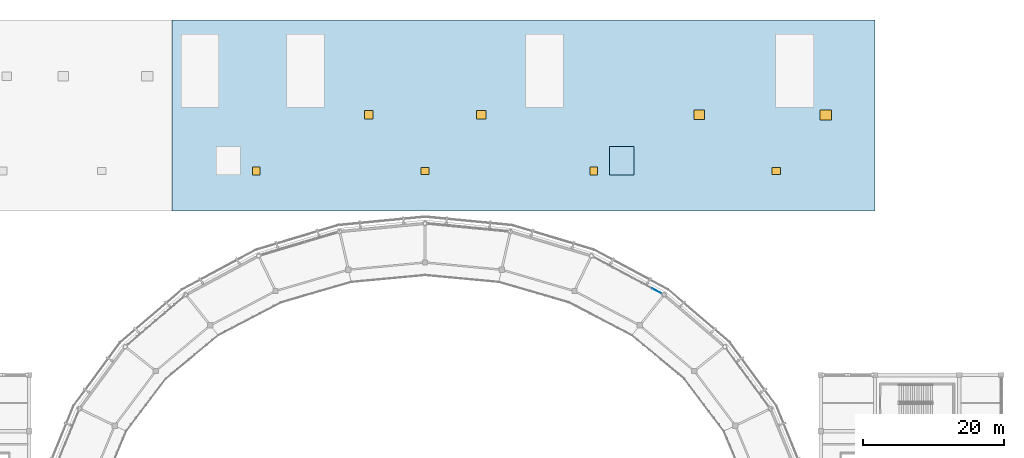
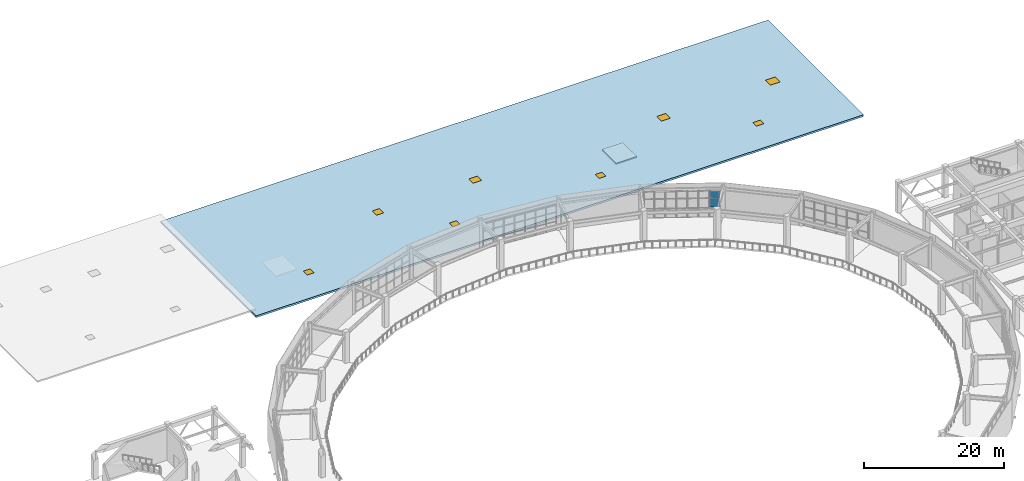
# One storey, part 46 of 70: 4 doors, 4 windows, 2 plates, 2 slabs, 8 openings, 1 element without a shape of its own.
"""IFC4 building model written with IfcOpenShell, lengths in metres."""

from ifc_helpers import new_model, si_unit, direction, frame, origin, origin_2d, place, context, subcontext, project, spatial, polyline, rectangle, outline, extrude, material, layer, layer_set, type_object, element, fill, aggregate, save


model = new_model("IFC4")

# Units and contexts
model_context = context("Model", 3, precision=1e-05, world=origin(), true_north=direction((0.0, 1.0)))
body_context = subcontext(model_context, "Body", "Model", "MODEL_VIEW")
ifc_project = project(units=[si_unit("LENGTHUNIT", "METRE"), si_unit("AREAUNIT", "SQUARE_METRE"), si_unit("VOLUMEUNIT", "CUBIC_METRE"), si_unit("PLANEANGLEUNIT", "RADIAN"), si_unit("MASSUNIT", "GRAM", prefix="KILO")], contexts=[model_context])

# Site, building, storey
site_placement = place(None, origin())
site = spatial("IfcSite", under=ifc_project, at=site_placement, CompositionType="ELEMENT")
building_placement = place(site_placement, origin())
building = spatial("IfcBuilding", under=site, at=building_placement, Name="Cuetzalor Civic Arena", CompositionType="ELEMENT")
storey_placement = place(building_placement, frame((0.0, 0.0, 21.0)))
storey = spatial("IfcBuildingStorey", under=building, at=storey_placement, Name="L04", CompositionType="ELEMENT", Elevation=21.0)

# Curtain wall, plates
ifc_material_1 = material(Name="Anodised dark bronze aluminium and low-E solar glass", Category="aluminium")
curtain_wall_type = type_object("IfcCurtainWallType", Name="UnitisedCW_10950x4650", PredefinedType="USERDEFINED", material=ifc_material_1)
curtain_wall_placement = place(storey_placement, origin())
curtain_wall = element("IfcCurtainWall", 1, at=curtain_wall_placement, inside=storey, type_object=curtain_wall_type, Name="Drum Triangle Foyer Curtain Wall L04-058", ObjectType="UNITISED CURTAIN WALL", PredefinedType="USERDEFINED")
ifc_material_2 = material(Name="Acoustic laminated solar control glass", Category="glass")
ifc_layer_1 = layer(ifc_material_2, 0.0439453125)
ifc_layer_set_1 = layer_set([ifc_layer_1], Name="Acoustic laminated solar control glass")
plate_type = type_object("IfcPlateType", Name="AcousticTripleGlazedPanel_44", PredefinedType="CURTAIN_PANEL", material=ifc_layer_set_1)
plate_1_placement = place(storey_placement, frame((32.958984375, 36.958740234375, 1.7099609375), z_axis=(0.0, 0.0, 1.0), x_axis=(0.881306344124, -0.472545371163, 0.0)))
plate_1 = element("IfcPlate", 2, at=plate_1_placement, type_object=plate_type, Name="CW-07 panel 7.2", PredefinedType="CURTAIN_PANEL", context=body_context, shape_type="SweptSolid", body=[
    extrude(rectangle(XDim=1.458740234375, YDim=0.0439453125, at=origin_2d()), origin(), (0.0, 0.0, 1.0), 1.60498046875),
])
plate_2_placement = place(storey_placement, frame((32.958984375, 36.958740234375, 3.384765625), z_axis=(0.0, 0.0, 1.0), x_axis=(0.881306344124, -0.472545371163, 0.0)))
plate_2 = element("IfcPlate", 3, at=plate_2_placement, type_object=plate_type, Name="CW-07 panel 7.3", PredefinedType="CURTAIN_PANEL", context=body_context, shape_type="SweptSolid", body=[
    extrude(rectangle(XDim=1.458740234375, YDim=0.0439453125, at=origin_2d()), origin(), (0.0, 0.0, 1.0), 1.197998046875),
])
aggregate(curtain_wall, [plate_1, plate_2])

# Slab
ifc_material_3 = material(Name="Concrete C40/50", Category="concrete")
ifc_layer_2 = layer(ifc_material_3, 0.219970703125)
ifc_layer_set_2 = layer_set([ifc_layer_2], Name="Concrete C40/50")
slab_type_1 = type_object("IfcSlabType", Name="LiftShaftRoofCapSlab_220", PredefinedType="ROOF", material=ifc_layer_set_2)
slab_1_placement = place(storey_placement, frame((0.0, 0.0, 1.39990234375)))
element("IfcSlab", 4, at=slab_1_placement, inside=storey, type_object=slab_type_1, Name="Lift Shaft Overrun Cap Slab LS-02", PredefinedType="ROOF", context=body_context, shape_type="SweptSolid", body=[
    extrude(outline(polyline([(26.280029296875, 53.47998046875), (29.719970703125, 53.47998046875), (29.719970703125, 57.52001953125), (26.280029296875, 57.52001953125), (26.280029296875, 53.47998046875)])), origin(), (0.0, 0.0, 1.0), 0.22021484375),
])

# Slab, openings, windows, doors
ifc_material_4 = material(Name="Concrete C35/45", Category="concrete")
ifc_layer_3 = layer(ifc_material_4, 0.320068359375)
ifc_layer_set_3 = layer_set([ifc_layer_3], Name="Concrete C35/45")
slab_type_2 = type_object("IfcSlabType", Name="StructuralRoofSlab_320", PredefinedType="ROOF", material=ifc_layer_set_3)
slab_2_placement = place(storey_placement, frame((0.0, 0.0, -0.300048828125)))
slab_2 = element("IfcSlab", 5, at=slab_2_placement, inside=storey, type_object=slab_type_2, Name="North Wing Flat Acoustic Roof Slab", PredefinedType="ROOF", context=body_context, shape_type="SweptSolid", body=[
    extrude(outline(polyline([(-36.0, 48.300048828125), (64.0, 48.300048828125), (64.0, 75.5), (-36.0, 75.5), (-36.0, 48.300048828125)])), origin(), (0.0, 0.0, 1.0), 0.320068359375),
])
opening_1_placement = place(slab_2_placement, frame((-8.0, 62.0, 0.0)))
opening_1 = element("IfcOpeningElement", 6, at=opening_1_placement, cuts=slab_2, Name="Opening SK-01", PredefinedType="OPENING", context=body_context, shape_type="SweptSolid", body=[
    extrude(rectangle(XDim=1.199951171875, YDim=1.199951171875, at=origin_2d()), origin(), (0.0, 0.0, 1.0), 0.320068359375),
])
opening_2_placement = place(slab_2_placement, frame((8.0, 62.0, 0.0)))
opening_2 = element("IfcOpeningElement", 7, at=opening_2_placement, cuts=slab_2, Name="Opening SK-02", PredefinedType="OPENING", context=body_context, shape_type="SweptSolid", body=[
    extrude(rectangle(XDim=1.39990234375, YDim=1.199951171875, at=origin_2d()), origin(), (0.0, 0.0, 1.0), 0.320068359375),
])
opening_3_placement = place(slab_2_placement, frame((39.0, 62.0, 0.0)))
opening_3 = element("IfcOpeningElement", 8, at=opening_3_placement, cuts=slab_2, Name="Opening SK-03", PredefinedType="OPENING", context=body_context, shape_type="SweptSolid", body=[
    extrude(rectangle(XDim=1.5, YDim=1.35009765625, at=origin_2d()), origin(), (0.0, 0.0, 1.0), 0.320068359375),
])
opening_4_placement = place(slab_2_placement, frame((57.0, 62.0, 0.0)))
opening_4 = element("IfcOpeningElement", 9, at=opening_4_placement, cuts=slab_2, Name="Opening SK-04", PredefinedType="OPENING", context=body_context, shape_type="SweptSolid", body=[
    extrude(rectangle(XDim=1.64990234375, YDim=1.39990234375, at=origin_2d()), origin(), (0.0, 0.0, 1.0), 0.320068359375),
])
opening_5_placement = place(slab_2_placement, frame((-24.0, 54.0, 0.0)))
opening_5 = element("IfcOpeningElement", 10, at=opening_5_placement, cuts=slab_2, Name="Opening RH-01", PredefinedType="OPENING", context=body_context, shape_type="SweptSolid", body=[
    extrude(rectangle(XDim=1.10009765625, YDim=1.10009765625, at=origin_2d()), origin(), (0.0, 0.0, 1.0), 0.320068359375),
])
opening_6_placement = place(slab_2_placement, frame((0.0, 54.0, 0.0)))
opening_6 = element("IfcOpeningElement", 11, at=opening_6_placement, cuts=slab_2, Name="Opening RH-02", PredefinedType="OPENING", context=body_context, shape_type="SweptSolid", body=[
    extrude(rectangle(XDim=1.199951171875, YDim=1.0, at=origin_2d()), origin(), (0.0, 0.0, 1.0), 0.320068359375),
])
opening_7_placement = place(slab_2_placement, frame((24.0, 54.0, 0.0)))
opening_7 = element("IfcOpeningElement", 12, at=opening_7_placement, cuts=slab_2, Name="Opening RH-01", PredefinedType="OPENING", context=body_context, shape_type="SweptSolid", body=[
    extrude(rectangle(XDim=1.10009765625, YDim=1.10009765625, at=origin_2d()), origin(), (0.0, 0.0, 1.0), 0.320068359375),
])
opening_8_placement = place(slab_2_placement, frame((50.0, 54.0, 0.0)))
opening_8 = element("IfcOpeningElement", 13, at=opening_8_placement, cuts=slab_2, Name="Opening RH-02", PredefinedType="OPENING", context=body_context, shape_type="SweptSolid", body=[
    extrude(rectangle(XDim=1.199951171875, YDim=1.0, at=origin_2d()), origin(), (0.0, 0.0, 1.0), 0.320068359375),
])
ifc_material_5 = material(Name="Laminated solar skylight glass in bronze frame", Category="glass")
window_type_1 = type_object("IfcWindowType", Name="DomeSmokeSkylight_1200x1200", PartitioningType="SINGLE_PANEL", PredefinedType="SKYLIGHT", material=ifc_material_5)
window_1_placement = place(opening_1_placement, frame((0.0, 0.0, 0.27001953125)))
window_1 = element("IfcWindow", 14, at=window_1_placement, inside=storey, type_object=window_type_1, Name="Monitor Smoke-Exhaust Roof Skylight 05", OverallHeight=1.199951171875, OverallWidth=1.199951171875, PartitioningType="SINGLE_PANEL", PredefinedType="SKYLIGHT", context=body_context, shape_type="SweptSolid", body=[
    extrude(rectangle(XDim=1.199951171875, YDim=1.199951171875, at=origin_2d()), origin(), (0.0, 0.0, 1.0), 0.050048828125),
])
fill(opening_1, window_1)
ifc_material_6 = material(Name="Laminated solar skylight glass in bronze frame", Category="glass")
window_type_2 = type_object("IfcWindowType", Name="DomeSmokeSkylight_1400x1200", PartitioningType="SINGLE_PANEL", PredefinedType="SKYLIGHT", material=ifc_material_6)
window_2_placement = place(opening_2_placement, frame((0.0, 0.0, 0.27001953125)))
window_2 = element("IfcWindow", 15, at=window_2_placement, inside=storey, type_object=window_type_2, Name="Monitor Smoke-Exhaust Roof Skylight 06", OverallHeight=1.199951171875, OverallWidth=1.39990234375, PartitioningType="SINGLE_PANEL", PredefinedType="SKYLIGHT", context=body_context, shape_type="SweptSolid", body=[
    extrude(rectangle(XDim=1.39990234375, YDim=1.199951171875, at=origin_2d()), origin(), (0.0, 0.0, 1.0), 0.050048828125),
])
fill(opening_2, window_2)
ifc_material_7 = material(Name="Laminated solar skylight glass in bronze frame", Category="glass")
window_type_3 = type_object("IfcWindowType", Name="DomeSmokeSkylight_1500x1350", PartitioningType="SINGLE_PANEL", PredefinedType="SKYLIGHT", material=ifc_material_7)
window_3_placement = place(opening_3_placement, frame((0.0, 0.0, 0.27001953125)))
window_3 = element("IfcWindow", 16, at=window_3_placement, inside=storey, type_object=window_type_3, Name="Monitor Smoke-Exhaust Roof Skylight 07", OverallHeight=1.35009765625, OverallWidth=1.5, PartitioningType="SINGLE_PANEL", PredefinedType="SKYLIGHT", context=body_context, shape_type="SweptSolid", body=[
    extrude(rectangle(XDim=1.5, YDim=1.35009765625, at=origin_2d()), origin(), (0.0, 0.0, 1.0), 0.050048828125),
])
fill(opening_3, window_3)
ifc_material_8 = material(Name="Laminated solar skylight glass in bronze frame", Category="glass")
window_type_4 = type_object("IfcWindowType", Name="DomeSmokeSkylight_1650x1400", PartitioningType="SINGLE_PANEL", PredefinedType="SKYLIGHT", material=ifc_material_8)
window_4_placement = place(opening_4_placement, frame((0.0, 0.0, 0.27001953125)))
window_4 = element("IfcWindow", 17, at=window_4_placement, inside=storey, type_object=window_type_4, Name="Monitor Smoke-Exhaust Roof Skylight 08", OverallHeight=1.39990234375, OverallWidth=1.64990234375, PartitioningType="SINGLE_PANEL", PredefinedType="SKYLIGHT", context=body_context, shape_type="SweptSolid", body=[
    extrude(rectangle(XDim=1.64990234375, YDim=1.39990234375, at=origin_2d()), origin(), (0.0, 0.0, 1.0), 0.050048828125),
])
fill(opening_4, window_4)
ifc_material_9 = material(Name="Thermally broken bronze steel and laminated glass", Category="steel")
door_type_1 = type_object("IfcDoorType", Name="RoofMaintenanceHatch_1100x1100", OperationType="SINGLE_SWING_LEFT", PredefinedType="TRAPDOOR", material=ifc_material_9)
door_1_placement = place(opening_5_placement, frame((0.0, 0.0, 0.27001953125)))
door_1 = element("IfcDoor", 18, at=door_1_placement, inside=storey, type_object=door_type_1, Name="Roof Maintenance Access Hatch 01", OperationType="SINGLE_SWING_LEFT", OverallHeight=1.10009765625, OverallWidth=1.10009765625, PredefinedType="TRAPDOOR", context=body_context, shape_type="SweptSolid", body=[
    extrude(rectangle(XDim=1.10009765625, YDim=1.10009765625, at=origin_2d()), origin(), (0.0, 0.0, 1.0), 0.050048828125),
])
fill(opening_5, door_1)
door_2_placement = place(opening_7_placement, frame((0.0, 0.0, 0.27001953125)))
door_2 = element("IfcDoor", 19, at=door_2_placement, inside=storey, type_object=door_type_1, Name="Roof Maintenance Access Hatch 03", OperationType="SINGLE_SWING_LEFT", OverallHeight=1.10009765625, OverallWidth=1.10009765625, PredefinedType="TRAPDOOR", context=body_context, shape_type="SweptSolid", body=[
    extrude(rectangle(XDim=1.10009765625, YDim=1.10009765625, at=origin_2d()), origin(), (0.0, 0.0, 1.0), 0.050048828125),
])
fill(opening_7, door_2)
ifc_material_10 = material(Name="Thermally broken bronze steel and laminated glass", Category="steel")
door_type_2 = type_object("IfcDoorType", Name="RoofMaintenanceHatch_1200x1000", OperationType="SINGLE_SWING_LEFT", PredefinedType="TRAPDOOR", material=ifc_material_10)
door_3_placement = place(opening_6_placement, frame((0.0, 0.0, 0.27001953125)))
door_3 = element("IfcDoor", 20, at=door_3_placement, inside=storey, type_object=door_type_2, Name="Roof Maintenance Access Hatch 02", OperationType="SINGLE_SWING_LEFT", OverallHeight=1.0, OverallWidth=1.199951171875, PredefinedType="TRAPDOOR", context=body_context, shape_type="SweptSolid", body=[
    extrude(rectangle(XDim=1.199951171875, YDim=1.0, at=origin_2d()), origin(), (0.0, 0.0, 1.0), 0.050048828125),
])
fill(opening_6, door_3)
door_4_placement = place(opening_8_placement, frame((0.0, 0.0, 0.27001953125)))
door_4 = element("IfcDoor", 21, at=door_4_placement, inside=storey, type_object=door_type_2, Name="Roof Maintenance Access Hatch 04", OperationType="SINGLE_SWING_LEFT", OverallHeight=1.0, OverallWidth=1.199951171875, PredefinedType="TRAPDOOR", context=body_context, shape_type="SweptSolid", body=[
    extrude(rectangle(XDim=1.199951171875, YDim=1.0, at=origin_2d()), origin(), (0.0, 0.0, 1.0), 0.050048828125),
])
fill(opening_8, door_4)

save(model, "model.ifc")
